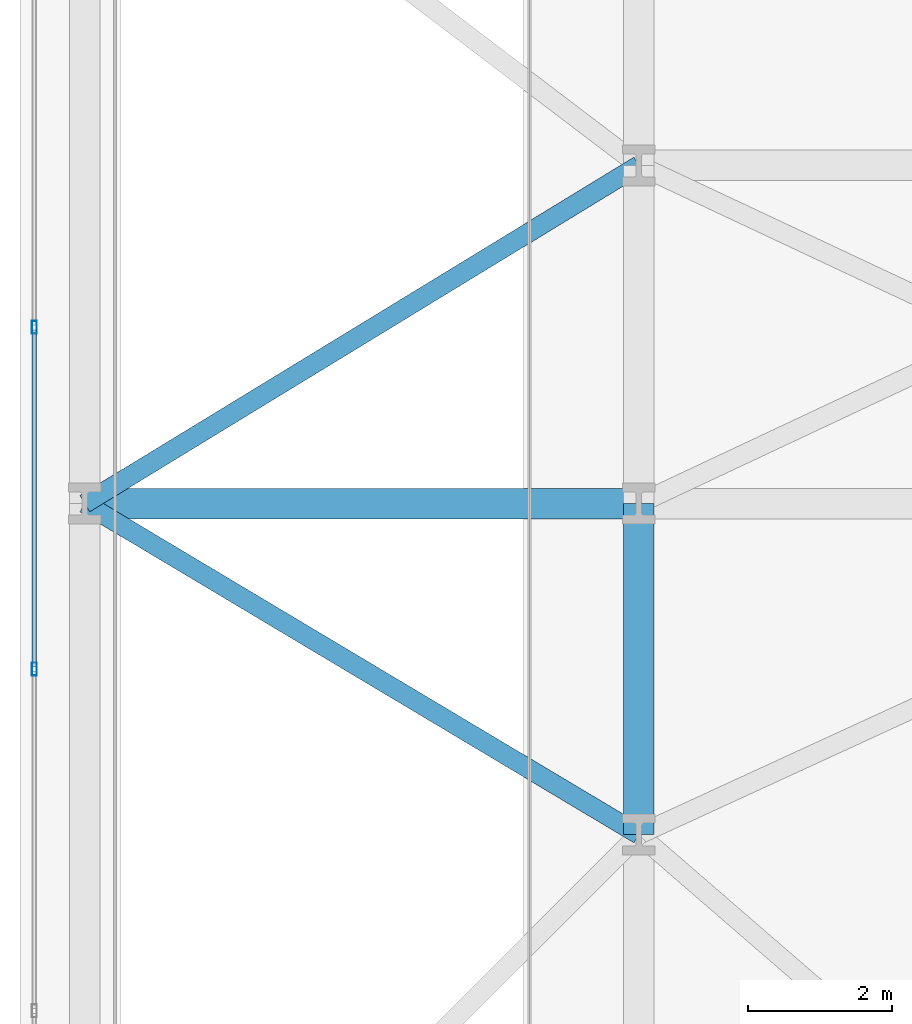
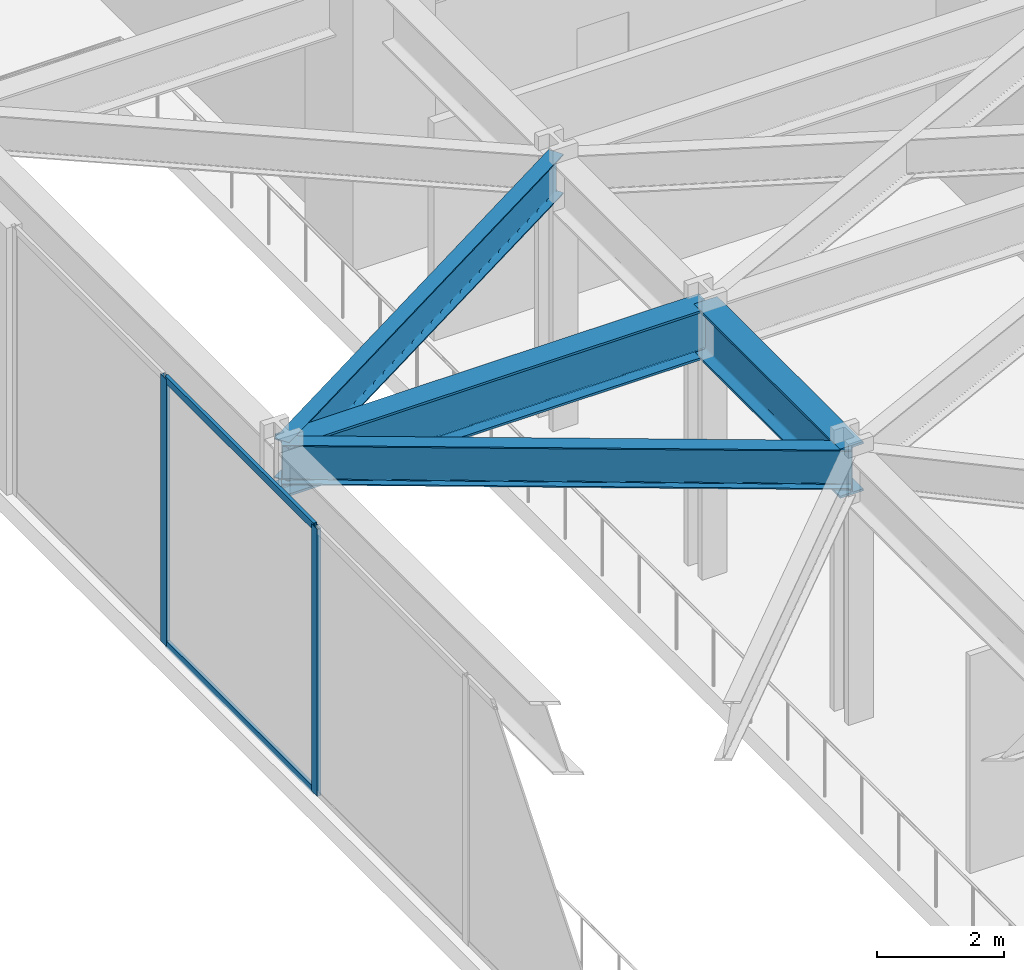
# One storey, part 9 of 31: 4 beams, 4 members, 1 element without a shape of its own.
"""IFC4 building model written with IfcOpenShell, lengths in metres."""

from ifc_helpers import new_model, si_unit, direction, frame, origin, origin_2d, place, context, subcontext, project, spatial, hollow_rectangle, i_section, extrude, material, layer, layer_set, material_profile, profile_set, type_object, element, aggregate, save


model = new_model("IFC4")

# Units and contexts
model_context = context("Model", 3, precision=1e-05, world=origin(), true_north=direction((0.0, 1.0)))
body_context = subcontext(model_context, "Body", "Model", "MODEL_VIEW")
ifc_project = project(units=[si_unit("LENGTHUNIT", "METRE"), si_unit("AREAUNIT", "SQUARE_METRE"), si_unit("VOLUMEUNIT", "CUBIC_METRE"), si_unit("PLANEANGLEUNIT", "RADIAN"), si_unit("MASSUNIT", "GRAM", prefix="KILO")], contexts=[model_context])

# Site, building, storey
site_placement = place(None, origin())
site = spatial("IfcSite", under=ifc_project, at=site_placement, CompositionType="ELEMENT")
building_placement = place(site_placement, origin())
building = spatial("IfcBuilding", under=site, at=building_placement, Name="Kravanh Interchange Tower", CompositionType="ELEMENT")
storey_placement = place(building_placement, origin())
storey = spatial("IfcBuildingStorey", under=building, at=storey_placement, Name="L00", CompositionType="ELEMENT", Elevation=0.0)

# Curtain wall, members
ifc_material_1 = material(Name="Anodised Bronze Aluminium", Category="aluminium")
ifc_layer = layer(ifc_material_1, 0.179931640625)
ifc_layer_set = layer_set([ifc_layer], Name="Unitised Curtain Wall System CW-POD Podium Concourse")
curtain_wall_type = type_object("IfcCurtainWallType", Name="Unitised Curtain Wall System CW-POD Podium Concourse", PredefinedType="NOTDEFINED", material=ifc_layer_set)
curtain_wall_placement = place(storey_placement, origin())
curtain_wall = element("IfcCurtainWall", 1, at=curtain_wall_placement, inside=storey, type_object=curtain_wall_type, Name="L00 Unitised Curtain Wall CW-L00-05", PredefinedType="NOTDEFINED")
ifc_material_2 = material(Name="Anodised Bronze Aluminium", Category="aluminium")
ifc_material_profile_1 = material_profile(ifc_material_2, hollow_rectangle(XDim=0.070068359375, YDim=0.179931640625, WallThickness=0.00390625, at=origin_2d()), Name="ALU70X180X4")
ifc_profile_set_1 = profile_set([ifc_material_profile_1], Name="Anodised Bronze Aluminium")
member_type_1 = type_object("IfcMemberType", Name="Curtain Wall Mullion ALU70X180X4 Bronze", PredefinedType="MULLION", material=ifc_profile_set_1)
member_1_placement = place(storey_placement, frame((0.199951171875, 24.5, 0.0), z_axis=(0.0, 0.0, 1.0), x_axis=(-1.0, 0.0, 0.0)))
member_1 = element("IfcMember", 2, at=member_1_placement, type_object=member_type_1, Name="CW-POD mullion 3", PredefinedType="MULLION", context=body_context, shape_type="SweptSolid", body=[
    extrude(hollow_rectangle(XDim=0.070068359375, YDim=0.179931640625, WallThickness=0.00390625, at=origin_2d()), origin(), (0.0, 0.0, 1.0), 5.1298828125),
])
member_2_placement = place(storey_placement, frame((0.199951171875, 29.25, 0.0), z_axis=(0.0, 0.0, 1.0), x_axis=(-1.0, 0.0, 0.0)))
member_2 = element("IfcMember", 3, at=member_2_placement, type_object=member_type_1, Name="CW-POD mullion 4", PredefinedType="MULLION", context=body_context, shape_type="SweptSolid", body=[
    extrude(hollow_rectangle(XDim=0.070068359375, YDim=0.179931640625, WallThickness=0.00390625, at=origin_2d()), origin(), (0.0, 0.0, 1.0), 5.1298828125),
])
ifc_material_3 = material(Name="Anodised Bronze Aluminium", Category="aluminium")
ifc_material_profile_2 = material_profile(ifc_material_3, hollow_rectangle(XDim=0.06005859375, YDim=0.139892578125, WallThickness=0.00390625, at=origin_2d()), Name="ALU60X140X4")
ifc_profile_set_2 = profile_set([ifc_material_profile_2], Name="Anodised Bronze Aluminium")
member_type_2 = type_object("IfcMemberType", Name="Curtain Wall Transom ALU60X140X4 Bronze", PredefinedType="USERDEFINED", material=ifc_profile_set_2)
member_3_placement = place(storey_placement, frame((0.199951171875, 24.534912109375, 0.030029296875), z_axis=(0.0, 1.0, 0.0), x_axis=(-1.0, 0.0, 0.0)))
member_3 = element("IfcMember", 4, at=member_3_placement, type_object=member_type_2, Name="CW-POD transom 3.1", ObjectType="TRANSOM", PredefinedType="USERDEFINED", context=body_context, shape_type="SweptSolid", body=[
    extrude(hollow_rectangle(XDim=0.06005859375, YDim=0.139892578125, WallThickness=0.00390625, at=origin_2d()), origin(), (0.0, 0.0, 1.0), 4.68017578125),
])
member_4_placement = place(storey_placement, frame((0.199951171875, 24.534912109375, 5.10009765625), z_axis=(0.0, 1.0, 0.0), x_axis=(-1.0, 0.0, 0.0)))
member_4 = element("IfcMember", 5, at=member_4_placement, type_object=member_type_2, Name="CW-POD transom 3.2", ObjectType="TRANSOM", PredefinedType="USERDEFINED", context=body_context, shape_type="SweptSolid", body=[
    extrude(hollow_rectangle(XDim=0.06005859375, YDim=0.139892578125, WallThickness=0.00390625, at=origin_2d()), origin(), (0.0, 0.0, 1.0), 4.68017578125),
])
aggregate(curtain_wall, [member_1, member_2, member_3, member_4])

# Beams
ifc_material_4 = material(Name="Structural Steel S450", Category="steel")
ifc_material_profile_3 = material_profile(ifc_material_4, i_section(OverallWidth=0.423095703125, OverallDepth=0.947998046875, WebThickness=0.02392578125, FlangeThickness=0.042724609375, FilletRadius=0.028076171875, at=origin_2d()), Name="W36X302")
ifc_profile_set_3 = profile_set([ifc_material_profile_3], Name="Structural Steel S450")
beam_type_1 = type_object("IfcBeamType", Name="Floor Beam W36X302 Structural Steel S450", PredefinedType="BEAM", material=ifc_profile_set_3)
beam_1_placement = place(storey_placement, frame((8.60009765625, 22.199951171875, 4.656005859375), z_axis=(0.0, 1.0, 0.0), x_axis=(-1.0, 0.0, 0.0)))
element("IfcBeam", 6, at=beam_1_placement, inside=storey, type_object=beam_type_1, Name="L00 Primary Floor Girder 57", PredefinedType="BEAM", context=body_context, shape_type="SweptSolid", body=[
    extrude(i_section(OverallWidth=0.423095703125, OverallDepth=0.947998046875, WebThickness=0.02392578125, FlangeThickness=0.042724609375, FilletRadius=0.028076171875, at=origin_2d()), origin(), (0.0, 0.0, 1.0), 4.60009765625),
])
beam_2_placement = place(storey_placement, frame((8.60009765625, 26.800048828125, 4.656005859375), z_axis=(-1.0, 0.0, 0.0), x_axis=(0.0, -1.0, 0.0)))
element("IfcBeam", 7, at=beam_2_placement, inside=storey, type_object=beam_type_1, Name="L00 Primary Floor Girder 74", PredefinedType="BEAM", context=body_context, shape_type="SweptSolid", body=[
    extrude(i_section(OverallWidth=0.423095703125, OverallDepth=0.947998046875, WebThickness=0.02392578125, FlangeThickness=0.042724609375, FilletRadius=0.028076171875, at=origin_2d()), origin(), (0.0, 0.0, 1.0), 7.7001953125),
])
ifc_material_5 = material(Name="Structural Steel S355", Category="steel")
ifc_material_profile_4 = material_profile(ifc_material_5, i_section(OverallWidth=0.26708984375, OverallDepth=0.761962890625, WebThickness=0.014404296875, FlangeThickness=0.021484375, FilletRadius=0.02490234375, at=origin_2d()), Name="W30X116")
ifc_profile_set_4 = profile_set([ifc_material_profile_4], Name="Structural Steel S355")
beam_type_2 = type_object("IfcBeamType", Name="Floor Spandrel W30X116 Structural Steel S355", PredefinedType="SPANDREL", material=ifc_profile_set_4)
beam_3_placement = place(storey_placement, frame((8.60009765625, 22.199951171875, 4.7490234375), z_axis=(-0.858476029739, 0.512853689041, 0.0), x_axis=(-0.512853689041, -0.858476029739, 0.0)))
element("IfcBeam", 8, at=beam_3_placement, inside=storey, type_object=beam_type_2, Name="L00 Perimeter Spandrel 58", PredefinedType="SPANDREL", context=body_context, shape_type="SweptSolid", body=[
    extrude(i_section(OverallWidth=0.26708984375, OverallDepth=0.761962890625, WebThickness=0.014404296875, FlangeThickness=0.021484375, FilletRadius=0.02490234375, at=origin_2d()), origin(), (0.0, 0.0, 1.0), 8.9697265625),
])
beam_4_placement = place(storey_placement, frame((8.60009765625, 31.5, 4.7490234375), z_axis=(-0.85356401423, -0.520987978375, 0.0), x_axis=(0.520987978375, -0.85356401423, 0.0)))
element("IfcBeam", 9, at=beam_4_placement, inside=storey, type_object=beam_type_2, Name="L00 Perimeter Spandrel 105", PredefinedType="SPANDREL", context=body_context, shape_type="SweptSolid", body=[
    extrude(i_section(OverallWidth=0.26708984375, OverallDepth=0.761962890625, WebThickness=0.014404296875, FlangeThickness=0.021484375, FilletRadius=0.02490234375, at=origin_2d()), origin(), (0.0, 0.0, 1.0), 9.021240234375),
])

save(model, "model.ifc")
